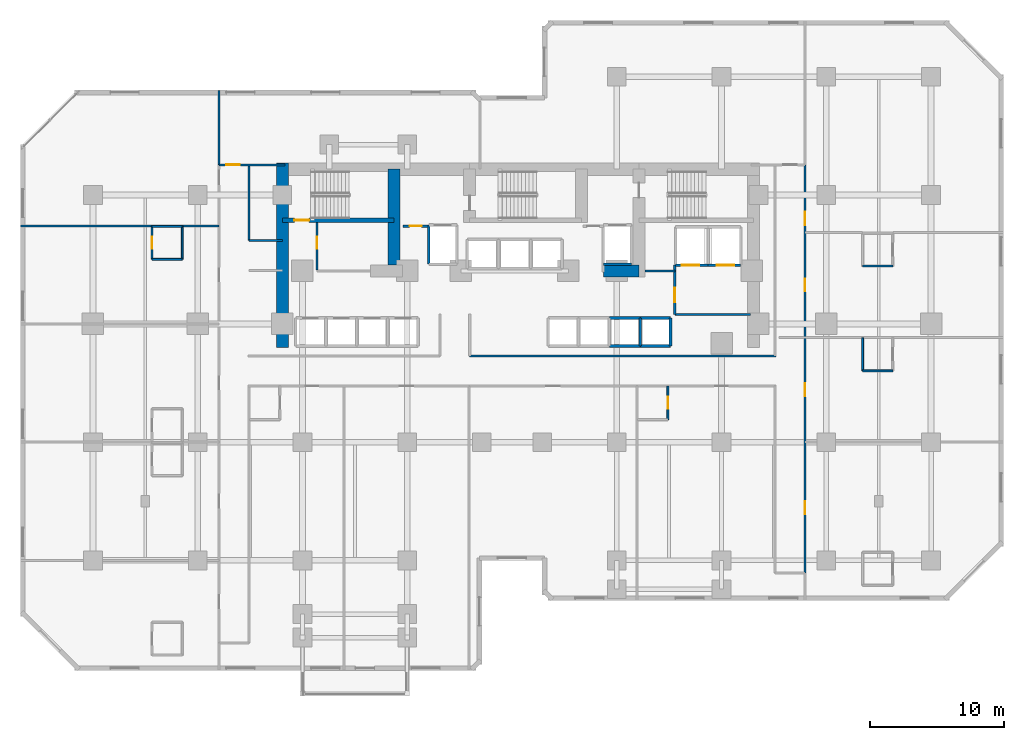
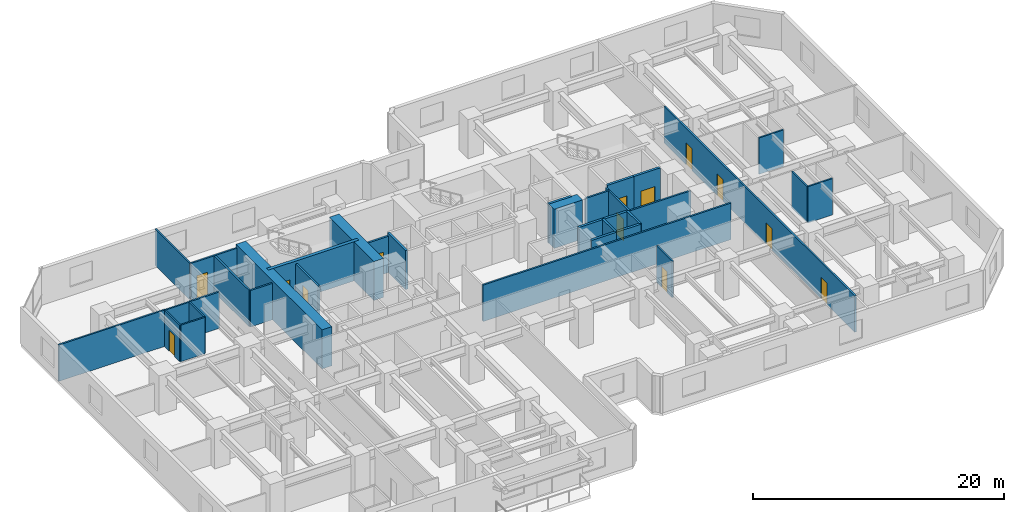
# One storey, part 7 of 11: 35 walls, 13 doors, 13 openings.
"""IFC4 building model written with IfcOpenShell, lengths in metres."""

from ifc_helpers import new_model, si_unit, direction, frame, frame_2d, origin, place, context, subcontext, project, spatial, rectangle, extrude, material, layer, layer_set, type_object, element, fill, save


model = new_model("IFC4")

# Units and contexts
model_context = context("Model", 3, precision=1e-05, world=origin(), true_north=direction((0.0, 1.0)))
body_context = subcontext(model_context, "Body", "Model", "MODEL_VIEW")
ifc_project = project(units=[si_unit("LENGTHUNIT", "METRE"), si_unit("AREAUNIT", "SQUARE_METRE"), si_unit("VOLUMEUNIT", "CUBIC_METRE"), si_unit("PLANEANGLEUNIT", "RADIAN"), si_unit("MASSUNIT", "GRAM", prefix="KILO")], contexts=[model_context])

# Site, building, storey
site_placement = place(None, origin())
site = spatial("IfcSite", under=ifc_project, at=site_placement, CompositionType="ELEMENT")
building_placement = place(site_placement, origin())
building = spatial("IfcBuilding", under=site, at=building_placement, Name="Kestravale Grand Hotel", CompositionType="ELEMENT")
storey_placement = place(building_placement, frame((0.0, 0.0, 45.0)))
storey = spatial("IfcBuildingStorey", under=building, at=storey_placement, Name="L10", CompositionType="ELEMENT", Elevation=45.0)

# Walls
ifc_material_1 = material(Name="Concrete f'c 70 MPa", Category="concrete")
ifc_layer_1 = layer(ifc_material_1, 0.89990234375)
ifc_layer_set_1 = layer_set([ifc_layer_1], Name="EW-CORE-900")
wall_type_1 = type_object("IfcWallType", Name="EW-CORE-900", PredefinedType="SHEAR", material=ifc_layer_set_1)
wall_1_placement = place(storey_placement, frame((21.89990234375, 27.050048828125, 0.0), z_axis=(0.0, 0.0, 1.0), x_axis=(0.0, 1.0, 0.0)))
element("IfcWall", 1, at=wall_1_placement, inside=storey, type_object=wall_type_1, Name="L10 core shear wall W1", PredefinedType="SHEAR", context=body_context, shape_type="SweptSolid", body=[
    extrude(rectangle(XDim=13.719970703125, YDim=0.89990234375, at=frame_2d((6.85986328125, 0.0))), origin(), (0.0, 0.0, 1.0), 3.800048828125),
])
wall_2_placement = place(storey_placement, frame((45.81005859375, 32.75, 0.0), z_axis=(0.0, 0.0, 1.0), x_axis=(1.0, 0.0, 0.0)))
element("IfcWall", 2, at=wall_2_placement, inside=storey, type_object=wall_type_1, Name="L10 core shear wall S2", PredefinedType="SHEAR", context=body_context, shape_type="SweptSolid", body=[
    extrude(rectangle(XDim=2.639892578125, YDim=0.89990234375, at=frame_2d((1.31982421875, 0.0))), origin(), (0.0, 0.0, 1.0), 3.800048828125),
])
wall_3_placement = place(storey_placement, frame((30.219970703125, 33.199951171875, 0.0), z_axis=(0.0, 0.0, 1.0), x_axis=(0.0, 1.0, 0.0)))
element("IfcWall", 3, at=wall_3_placement, inside=storey, type_object=wall_type_1, Name="L10 core shear wall X1", PredefinedType="SHEAR", context=body_context, shape_type="SweptSolid", body=[
    extrude(rectangle(XDim=7.1201171875, YDim=0.89990234375, at=frame_2d((3.56005859375, 0.0))), origin(), (0.0, 0.0, 1.0), 3.800048828125),
])

# Wall, opening, door
ifc_material_2 = material(Name="Concrete f'c 45 MPa", Category="concrete")
ifc_layer_2 = layer(ifc_material_2, 0.300048828125)
ifc_layer_set_2 = layer_set([ifc_layer_2], Name="EW-STAIR-300")
wall_type_2 = type_object("IfcWallType", Name="EW-STAIR-300", PredefinedType="SHEAR", material=ifc_layer_set_2)
wall_4_placement = place(storey_placement, frame((21.89990234375, 36.52001953125, 0.0), z_axis=(0.0, 0.0, 1.0), x_axis=(1.0, 0.0, 0.0)))
wall_4 = element("IfcWall", 4, at=wall_4_placement, inside=storey, type_object=wall_type_2, Name="L10 stair enclosure shear wall SST1", PredefinedType="SHEAR", context=body_context, shape_type="SweptSolid", body=[
    extrude(rectangle(XDim=8.320068359375, YDim=0.300048828125, at=frame_2d((4.16015625, 0.0))), origin(), (0.0, 0.0, 1.0), 3.800048828125),
])
opening_1_placement = place(wall_4_placement, frame((0.89990234375, 0.0, 0.0)))
opening_1 = element("IfcOpeningElement", 5, at=opening_1_placement, cuts=wall_4, Name="Opening D-ST-1100", PredefinedType="OPENING", context=body_context, shape_type="SweptSolid", body=[
    extrude(rectangle(XDim=1.10009765625, YDim=2.14990234375, at=frame_2d((0.550048828125, 1.074951171875))), frame((0.0, 0.159912109375, 0.0), z_axis=(0.0, -1.0, 0.0), x_axis=(1.0, 0.0, 0.0)), (0.0, 0.0, 1.0), 0.320068359375),
])
ifc_material_3 = material(Name="Galvanised 90-minute fire-rated steel stair door", Category="steel")
door_type_1 = type_object("IfcDoorType", Name="D-ST-1100", OperationType="NOTDEFINED", PredefinedType="DOOR", material=ifc_material_3)
door_1_placement = place(opening_1_placement, origin())
door_1 = element("IfcDoor", 6, at=door_1_placement, inside=storey, type_object=door_type_1, Name="L10 Stair ST-1 fire door", OperationType="SINGLE_SWING_RIGHT", OverallHeight=2.14990234375, OverallWidth=1.10009765625, PredefinedType="DOOR", context=body_context, shape_type="SweptSolid", body=[
    extrude(rectangle(XDim=1.10009765625, YDim=2.14990234375, at=frame_2d((0.550048828125, 1.074951171875))), frame((0.0, 0.02490234375, 0.0), z_axis=(0.0, -1.0, 0.0), x_axis=(1.0, 0.0, 0.0)), (0.0, 0.0, 1.0), 0.050048828125),
])
fill(opening_1, door_1)

ifc_material_4 = material(Name="Acoustic fire-rated gypsum board partition", Category="other")
ifc_layer_3 = layer(ifc_material_4, 0.159912109375)
ifc_layer_set_3 = layer_set([ifc_layer_3], Name="IW-CORR-160")
wall_type_3 = type_object("IfcWallType", Name="IW-CORR-160", PredefinedType="PARTITIONING", material=ifc_layer_set_3)
wall_5_placement = place(storey_placement, frame((24.47998046875, 32.800048828125, 0.0), z_axis=(0.0, 0.0, 1.0), x_axis=(0.0, 1.0, 0.0)))
wall_5 = element("IfcWall", 7, at=wall_5_placement, inside=storey, type_object=wall_type_3, Name="L10 west core vestibule wall", PredefinedType="PARTITIONING", context=body_context, shape_type="SweptSolid", body=[
    extrude(rectangle(XDim=3.570068359375, YDim=0.159912109375, at=frame_2d((1.78515625, 0.0))), origin(), (0.0, 0.0, 1.0), 3.5400390625),
])
opening_2_placement = place(wall_5_placement, frame((1.603515625, 0.0, 0.0)))
opening_2 = element("IfcOpeningElement", 8, at=opening_2_placement, cuts=wall_5, Name="Opening D-SH-900", PredefinedType="OPENING", context=body_context, shape_type="SweptSolid", body=[
    extrude(rectangle(XDim=0.89990234375, YDim=2.10009765625, at=frame_2d((0.449951171875, 1.050048828125))), frame((0.0, 0.08984375, 0.0), z_axis=(0.0, -1.0, 0.0), x_axis=(1.0, 0.0, 0.0)), (0.0, 0.0, 1.0), 0.179931640625),
])
ifc_material_5 = material(Name="Galvanised 90-minute shaft and service fire door", Category="steel")
door_type_2 = type_object("IfcDoorType", Name="D-SH-900", OperationType="NOTDEFINED", PredefinedType="DOOR", material=ifc_material_5)
door_2_placement = place(opening_2_placement, origin())
door_2 = element("IfcDoor", 9, at=door_2_placement, inside=storey, type_object=door_type_2, Name="D-L10-HK", OperationType="SINGLE_SWING_RIGHT", OverallHeight=2.10009765625, OverallWidth=0.89990234375, PredefinedType="DOOR", context=body_context, shape_type="SweptSolid", body=[
    extrude(rectangle(XDim=0.89990234375, YDim=2.10009765625, at=frame_2d((0.449951171875, 1.050048828125))), frame((0.0, 0.02490234375, 0.0), z_axis=(0.0, -1.0, 0.0), x_axis=(1.0, 0.0, 0.0)), (0.0, 0.0, 1.0), 0.050048828125),
])
fill(opening_2, door_2)

wall_6_placement = place(storey_placement, frame((51.1201171875, 29.5, 0.0), z_axis=(0.0, 0.0, 1.0), x_axis=(0.0, 1.0, 0.0)))
wall_6 = element("IfcWall", 10, at=wall_6_placement, inside=storey, type_object=wall_type_3, Name="W-L10-SVCLOB-W", PredefinedType="PARTITIONING", context=body_context, shape_type="SweptSolid", body=[
    extrude(rectangle(XDim=3.699951171875, YDim=0.159912109375, at=frame_2d((1.85009765625, 0.0))), origin(), (0.0, 0.0, 1.0), 3.5400390625),
])
opening_3_placement = place(wall_6_placement, frame((0.89990234375, 0.0, 0.0)))
opening_3 = element("IfcOpeningElement", 11, at=opening_3_placement, cuts=wall_6, Name="Opening D-CORR-1100", PredefinedType="OPENING", context=body_context, shape_type="SweptSolid", body=[
    extrude(rectangle(XDim=1.10009765625, YDim=2.14990234375, at=frame_2d((0.550048828125, 1.074951171875))), frame((0.0, 0.08984375, 0.0), z_axis=(0.0, -1.0, 0.0), x_axis=(1.0, 0.0, 0.0)), (0.0, 0.0, 1.0), 0.179931640625),
])
ifc_material_6 = material(Name="Single-leaf service vestibule fire door", Category="steel")
door_type_3 = type_object("IfcDoorType", Name="D-CORR-1100", OperationType="NOTDEFINED", PredefinedType="DOOR", material=ifc_material_6)
door_3_placement = place(opening_3_placement, origin())
door_3 = element("IfcDoor", 12, at=door_3_placement, inside=storey, type_object=door_type_3, Name="L10 service lift lobby door", OperationType="SINGLE_SWING_LEFT", OverallHeight=2.14990234375, OverallWidth=1.10009765625, PredefinedType="DOOR", context=body_context, shape_type="SweptSolid", body=[
    extrude(rectangle(XDim=1.10009765625, YDim=2.14990234375, at=frame_2d((0.550048828125, 1.074951171875))), frame((0.0, 0.02490234375, 0.0), z_axis=(0.0, -1.0, 0.0), x_axis=(1.0, 0.0, 0.0)), (0.0, 0.0, 1.0), 0.050048828125),
])
fill(opening_3, door_3)

# Walls
wall_7_placement = place(storey_placement, frame((51.1201171875, 29.5, 0.0), z_axis=(0.0, 0.0, 1.0), x_axis=(1.0, 0.0, 0.0)))
element("IfcWall", 13, at=wall_7_placement, inside=storey, type_object=wall_type_3, Name="L10 service lift lobby wall", PredefinedType="PARTITIONING", context=body_context, shape_type="SweptSolid", body=[
    extrude(rectangle(XDim=5.6298828125, YDim=0.159912109375, at=frame_2d((2.81494140625, 0.0))), origin(), (0.0, 0.0, 1.0), 3.5400390625),
])
wall_8_placement = place(storey_placement, frame((48.919921875, 32.75, 0.0), z_axis=(0.0, 0.0, 1.0), x_axis=(1.0, 0.0, 0.0)))
element("IfcWall", 14, at=wall_8_placement, inside=storey, type_object=wall_type_3, Name="W-L10-CES", PredefinedType="PARTITIONING", context=body_context, shape_type="SweptSolid", body=[
    extrude(rectangle(XDim=2.2001953125, YDim=0.159912109375, at=frame_2d((1.10009765625, 0.0))), origin(), (0.0, 0.0, 1.0), 3.5400390625),
])
wall_9_placement = place(storey_placement, frame((35.85009765625, 26.409912109375, 0.0), z_axis=(0.0, 0.0, 1.0), x_axis=(1.0, 0.0, 0.0)))
element("IfcWall", 15, at=wall_9_placement, inside=storey, type_object=wall_type_3, Name="W-L10-CE-N", PredefinedType="PARTITIONING", context=body_context, shape_type="SweptSolid", body=[
    extrude(rectangle(XDim=22.7998046875, YDim=0.159912109375, at=frame_2d((11.39990234375, 0.0))), origin(), (0.0, 0.0, 1.0), 3.5400390625),
])
wall_10_placement = place(storey_placement, frame((19.409912109375, 35.02001953125, 0.0), z_axis=(0.0, 0.0, 1.0), x_axis=(0.0, 1.0, 0.0)))
element("IfcWall", 16, at=wall_10_placement, inside=storey, type_object=wall_type_3, Name="W-L10-SW-EN", PredefinedType="PARTITIONING", context=body_context, shape_type="SweptSolid", body=[
    extrude(rectangle(XDim=5.6298828125, YDim=0.159912109375, at=frame_2d((2.81494140625, 0.0))), origin(), (0.0, 0.0, 1.0), 3.5400390625),
])
wall_11_placement = place(storey_placement, frame((19.409912109375, 35.02001953125, 0.0), z_axis=(0.0, 0.0, 1.0), x_axis=(1.0, 0.0, 0.0)))
element("IfcWall", 17, at=wall_11_placement, inside=storey, type_object=wall_type_3, Name="W-L10-SW-CN", PredefinedType="PARTITIONING", context=body_context, shape_type="SweptSolid", body=[
    extrude(rectangle(XDim=2.489990234375, YDim=0.159912109375, at=frame_2d((1.2451171875, 0.0))), origin(), (0.0, 0.0, 1.0), 3.5400390625),
])

# Wall, openings, doors
wall_12_placement = place(storey_placement, frame((60.81005859375, 10.25, 0.0), z_axis=(0.0, 0.0, 1.0), x_axis=(0.0, 1.0, 0.0)))
wall_12 = element("IfcWall", 18, at=wall_12_placement, inside=storey, type_object=wall_type_3, Name="W-L10-SE-E", PredefinedType="PARTITIONING", context=body_context, shape_type="SweptSolid", body=[
    extrude(rectangle(XDim=30.39990234375, YDim=0.159912109375, at=frame_2d((15.199951171875, 0.0))), origin(), (0.0, 0.0, 1.0), 3.5400390625),
])
opening_4_placement = place(wall_12_placement, frame((4.39990234375, 0.0, 0.0)))
opening_4 = element("IfcOpeningElement", 19, at=opening_4_placement, cuts=wall_12, Name="Opening D-GUEST-950", PredefinedType="OPENING", context=body_context, shape_type="SweptSolid", body=[
    extrude(rectangle(XDim=0.949951171875, YDim=2.10009765625, at=frame_2d((0.47509765625, 1.050048828125))), frame((0.0, 0.08984375, 0.0), z_axis=(0.0, -1.0, 0.0), x_axis=(1.0, 0.0, 0.0)), (0.0, 0.0, 1.0), 0.179931640625),
])
opening_5_placement = place(wall_12_placement, frame((13.175048828125, 0.0, 0.0)))
opening_5 = element("IfcOpeningElement", 20, at=opening_5_placement, cuts=wall_12, Name="Opening D-GUEST-950", PredefinedType="OPENING", context=body_context, shape_type="SweptSolid", body=[
    extrude(rectangle(XDim=0.949951171875, YDim=2.10009765625, at=frame_2d((0.47509765625, 1.050048828125))), frame((0.0, 0.08984375, 0.0), z_axis=(0.0, -1.0, 0.0), x_axis=(1.0, 0.0, 0.0)), (0.0, 0.0, 1.0), 0.179931640625),
])
opening_6_placement = place(wall_12_placement, frame((20.97509765625, 0.0, 0.0)))
opening_6 = element("IfcOpeningElement", 21, at=opening_6_placement, cuts=wall_12, Name="Opening D-GUEST-950", PredefinedType="OPENING", context=body_context, shape_type="SweptSolid", body=[
    extrude(rectangle(XDim=0.949951171875, YDim=2.10009765625, at=frame_2d((0.47509765625, 1.050048828125))), frame((0.0, 0.08984375, 0.0), z_axis=(0.0, -1.0, 0.0), x_axis=(1.0, 0.0, 0.0)), (0.0, 0.0, 1.0), 0.179931640625),
])
opening_7_placement = place(wall_12_placement, frame((25.89990234375, 0.0, 0.0)))
opening_7 = element("IfcOpeningElement", 22, at=opening_7_placement, cuts=wall_12, Name="Opening D-GUEST-1000", PredefinedType="OPENING", context=body_context, shape_type="SweptSolid", body=[
    extrude(rectangle(XDim=1.0, YDim=2.14990234375, at=frame_2d((0.5, 1.074951171875))), frame((0.0, 0.08984375, 0.0), z_axis=(0.0, -1.0, 0.0), x_axis=(1.0, 0.0, 0.0)), (0.0, 0.0, 1.0), 0.179931640625),
])
ifc_material_7 = material(Name="Accessible walnut veneer hotel entrance fire door", Category="wood")
door_type_4 = type_object("IfcDoorType", Name="D-GUEST-1000", OperationType="NOTDEFINED", PredefinedType="DOOR", material=ifc_material_7)
door_4_placement = place(opening_7_placement, origin())
door_4 = element("IfcDoor", 23, at=door_4_placement, inside=storey, type_object=door_type_4, Name="D-L10-AMEW", OperationType="SINGLE_SWING_LEFT", OverallHeight=2.14990234375, OverallWidth=1.0, PredefinedType="DOOR", context=body_context, shape_type="SweptSolid", body=[
    extrude(rectangle(XDim=1.0, YDim=2.14990234375, at=frame_2d((0.5, 1.074951171875))), frame((0.0, 0.02490234375, 0.0), z_axis=(0.0, -1.0, 0.0), x_axis=(1.0, 0.0, 0.0)), (0.0, 0.0, 1.0), 0.050048828125),
])
fill(opening_7, door_4)
ifc_material_8 = material(Name="Walnut veneer hotel guestroom entrance fire door", Category="wood")
door_type_5 = type_object("IfcDoorType", Name="D-GUEST-950", OperationType="NOTDEFINED", PredefinedType="DOOR", material=ifc_material_8)
door_5_placement = place(opening_4_placement, origin())
door_5 = element("IfcDoor", 24, at=door_5_placement, inside=storey, type_object=door_type_5, Name="D-L10-U07-ENT", OperationType="SINGLE_SWING_RIGHT", OverallHeight=2.10009765625, OverallWidth=0.949951171875, PredefinedType="DOOR", context=body_context, shape_type="SweptSolid", body=[
    extrude(rectangle(XDim=0.949951171875, YDim=2.10009765625, at=frame_2d((0.47509765625, 1.050048828125))), frame((0.0, 0.02490234375, 0.0), z_axis=(0.0, -1.0, 0.0), x_axis=(1.0, 0.0, 0.0)), (0.0, 0.0, 1.0), 0.050048828125),
])
fill(opening_4, door_5)
door_6_placement = place(opening_5_placement, origin())
door_6 = element("IfcDoor", 25, at=door_6_placement, inside=storey, type_object=door_type_5, Name="D-L10-U08-ENT", OperationType="SINGLE_SWING_RIGHT", OverallHeight=2.10009765625, OverallWidth=0.949951171875, PredefinedType="DOOR", context=body_context, shape_type="SweptSolid", body=[
    extrude(rectangle(XDim=0.949951171875, YDim=2.10009765625, at=frame_2d((0.47509765625, 1.050048828125))), frame((0.0, 0.02490234375, 0.0), z_axis=(0.0, -1.0, 0.0), x_axis=(1.0, 0.0, 0.0)), (0.0, 0.0, 1.0), 0.050048828125),
])
fill(opening_5, door_6)
door_7_placement = place(opening_6_placement, origin())
door_7 = element("IfcDoor", 26, at=door_7_placement, inside=storey, type_object=door_type_5, Name="D-L10-U09-ENT", OperationType="SINGLE_SWING_RIGHT", OverallHeight=2.10009765625, OverallWidth=0.949951171875, PredefinedType="DOOR", context=body_context, shape_type="SweptSolid", body=[
    extrude(rectangle(XDim=0.949951171875, YDim=2.10009765625, at=frame_2d((0.47509765625, 1.050048828125))), frame((0.0, 0.02490234375, 0.0), z_axis=(0.0, -1.0, 0.0), x_axis=(1.0, 0.0, 0.0)), (0.0, 0.0, 1.0), 0.050048828125),
])
fill(opening_6, door_7)

# Wall, opening, door
ifc_material_9 = material(Name="Fire-rated gypsum board on steel studs with mineral wool", Category="steel")
ifc_layer_4 = layer(ifc_material_9, 0.179931640625)
ifc_layer_set_4 = layer_set([ifc_layer_4], Name="IW-FSAE-180")
wall_type_4 = type_object("IfcWallType", Name="IW-FSAE-180", PredefinedType="PARTITIONING", material=ifc_layer_set_4)
wall_13_placement = place(storey_placement, frame((30.89990234375, 36.080078125, 0.0), z_axis=(0.0, 0.0, 1.0), x_axis=(1.0, 0.0, 0.0)))
wall_13 = element("IfcWall", 27, at=wall_13_placement, inside=storey, type_object=wall_type_4, Name="L10 FSAE Lobby 1 smoke barrier", PredefinedType="PARTITIONING", context=body_context, shape_type="SweptSolid", body=[
    extrude(rectangle(XDim=1.85009765625, YDim=0.179931640625, at=frame_2d((0.925048828125, 0.0))), origin(), (0.0, 0.0, 1.0), 3.5400390625),
])
opening_8_placement = place(wall_13_placement, frame((0.47998046875, 0.0, 0.0)))
opening_8 = element("IfcOpeningElement", 28, at=opening_8_placement, cuts=wall_13, Name="Opening D-FSAE-1000", PredefinedType="OPENING", context=body_context, shape_type="SweptSolid", body=[
    extrude(rectangle(XDim=0.89990234375, YDim=2.14990234375, at=frame_2d((0.449951171875, 1.074951171875))), frame((0.0, 0.099853515625, 0.0), z_axis=(0.0, -1.0, 0.0), x_axis=(1.0, 0.0, 0.0)), (0.0, 0.0, 1.0), 0.199951171875),
])
ifc_material_10 = material(Name="Smoke-gasketed FSAE lobby fire door", Category="steel")
door_type_6 = type_object("IfcDoorType", Name="D-FSAE-1000", OperationType="NOTDEFINED", PredefinedType="DOOR", material=ifc_material_10)
door_8_placement = place(opening_8_placement, origin())
door_8 = element("IfcDoor", 29, at=door_8_placement, inside=storey, type_object=door_type_6, Name="L10 FSAE Lobby 1 fire door", OperationType="SINGLE_SWING_RIGHT", OverallHeight=2.14990234375, OverallWidth=0.89990234375, PredefinedType="DOOR", context=body_context, shape_type="SweptSolid", body=[
    extrude(rectangle(XDim=0.89990234375, YDim=2.14990234375, at=frame_2d((0.449951171875, 1.074951171875))), frame((0.0, 0.02490234375, 0.0), z_axis=(0.0, -1.0, 0.0), x_axis=(1.0, 0.0, 0.0)), (0.0, 0.0, 1.0), 0.050048828125),
])
fill(opening_8, door_8)

ifc_material_11 = material(Name="Moisture-resistant tile-backer plumbing chase wall", Category="other")
ifc_layer_5 = layer(ifc_material_11, 0.139892578125)
ifc_layer_set_5 = layer_set([ifc_layer_5], Name="IW-PLB-140")
wall_type_5 = type_object("IfcWallType", Name="IW-PLB-140", PredefinedType="PLUMBINGWALL", material=ifc_layer_set_5)
wall_14_placement = place(storey_placement, frame((50.60498046875, 21.679931640625, 0.0), z_axis=(0.0, 0.0, 1.0), x_axis=(0.0, 1.0, 0.0)))
wall_14 = element("IfcWall", 30, at=wall_14_placement, inside=storey, type_object=wall_type_5, Name="W-L10-U02-BE", PredefinedType="PLUMBINGWALL", context=body_context, shape_type="SweptSolid", body=[
    extrude(rectangle(XDim=2.489990234375, YDim=0.139892578125, at=frame_2d((1.2451171875, 0.0))), origin(), (0.0, 0.0, 1.0), 3.5400390625),
])
opening_9_placement = place(wall_14_placement, frame((0.804931640625, 0.0, 0.0)))
opening_9 = element("IfcOpeningElement", 31, at=opening_9_placement, cuts=wall_14, Name="Opening D-BATH-880", PredefinedType="OPENING", context=body_context, shape_type="SweptSolid", body=[
    extrude(rectangle(XDim=0.8798828125, YDim=2.050048828125, at=frame_2d((0.43994140625, 1.02490234375))), frame((0.0, 0.079833984375, 0.0), z_axis=(0.0, -1.0, 0.0), x_axis=(1.0, 0.0, 0.0)), (0.0, 0.0, 1.0), 0.159912109375),
])
ifc_material_12 = material(Name="Moisture-sealed walnut en-suite bathroom door", Category="wood")
door_type_7 = type_object("IfcDoorType", Name="D-BATH-880", OperationType="NOTDEFINED", PredefinedType="DOOR", material=ifc_material_12)
door_9_placement = place(opening_9_placement, origin())
door_9 = element("IfcDoor", 32, at=door_9_placement, inside=storey, type_object=door_type_7, Name="D-L10-U02-BATH", OperationType="SINGLE_SWING_RIGHT", OverallHeight=2.050048828125, OverallWidth=0.8798828125, PredefinedType="DOOR", context=body_context, shape_type="SweptSolid", body=[
    extrude(rectangle(XDim=0.8798828125, YDim=2.050048828125, at=frame_2d((0.43994140625, 1.02490234375))), frame((0.0, 0.02490234375, 0.0), z_axis=(0.0, -1.0, 0.0), x_axis=(1.0, 0.0, 0.0)), (0.0, 0.0, 1.0), 0.050048828125),
])
fill(opening_9, door_9)

wall_15_placement = place(storey_placement, frame((12.199951171875, 33.610107421875, 0.0), z_axis=(0.0, 0.0, 1.0), x_axis=(0.0, 1.0, 0.0)))
wall_15 = element("IfcWall", 33, at=wall_15_placement, inside=storey, type_object=wall_type_5, Name="W-L10-U06-BW", PredefinedType="PLUMBINGWALL", context=body_context, shape_type="SweptSolid", body=[
    extrude(rectangle(XDim=2.449951171875, YDim=0.139892578125, at=frame_2d((1.22509765625, 0.0))), origin(), (0.0, 0.0, 1.0), 3.5400390625),
])
opening_10_placement = place(wall_15_placement, frame((0.784912109375, 0.0, 0.0)))
opening_10 = element("IfcOpeningElement", 34, at=opening_10_placement, cuts=wall_15, Name="Opening D-BATH-880", PredefinedType="OPENING", context=body_context, shape_type="SweptSolid", body=[
    extrude(rectangle(XDim=0.8798828125, YDim=2.050048828125, at=frame_2d((0.43994140625, 1.02490234375))), frame((0.0, 0.079833984375, 0.0), z_axis=(0.0, -1.0, 0.0), x_axis=(1.0, 0.0, 0.0)), (0.0, 0.0, 1.0), 0.159912109375),
])
door_10_placement = place(opening_10_placement, origin())
door_10 = element("IfcDoor", 35, at=door_10_placement, inside=storey, type_object=door_type_7, Name="D-L10-U06-BATH", OperationType="SINGLE_SWING_RIGHT", OverallHeight=2.050048828125, OverallWidth=0.8798828125, PredefinedType="DOOR", context=body_context, shape_type="SweptSolid", body=[
    extrude(rectangle(XDim=0.8798828125, YDim=2.050048828125, at=frame_2d((0.43994140625, 1.02490234375))), frame((0.0, 0.02490234375, 0.0), z_axis=(0.0, -1.0, 0.0), x_axis=(1.0, 0.0, 0.0)), (0.0, 0.0, 1.0), 0.050048828125),
])
fill(opening_10, door_10)

# Walls
wall_16_placement = place(storey_placement, frame((14.449951171875, 33.610107421875, 0.0), z_axis=(0.0, 0.0, 1.0), x_axis=(0.0, 1.0, 0.0)))
element("IfcWall", 36, at=wall_16_placement, inside=storey, type_object=wall_type_5, Name="W-L10-U06-BE", PredefinedType="PLUMBINGWALL", context=body_context, shape_type="SweptSolid", body=[
    extrude(rectangle(XDim=2.449951171875, YDim=0.139892578125, at=frame_2d((1.22509765625, 0.0))), origin(), (0.0, 0.0, 1.0), 3.5400390625),
])
for number, where, z_axis, x_axis, name in (
    (37, (12.199951171875, 33.610107421875, 0.0), (0.0, 0.0, 1.0), (1.0, 0.0, 0.0), "W-L10-U06-BS"),
    (38, (12.199951171875, 36.06005859375, 0.0), (0.0, 0.0, 1.0), (1.0, 0.0, 0.0), "W-L10-U06-BN"),
):
    element("IfcWall", number, at=place(storey_placement, frame(where, z_axis=z_axis, x_axis=x_axis)), inside=storey, type_object=wall_type_5, Name=name, PredefinedType="PLUMBINGWALL", context=body_context, shape_type="SweptSolid", body=[
        extrude(rectangle(XDim=2.25, YDim=0.139892578125, at=frame_2d((1.125, 0.0))), origin(), (0.0, 0.0, 1.0), 3.5400390625),
    ])
wall_17_placement = place(storey_placement, frame((65.10009765625, 25.31005859375, 0.0), z_axis=(0.0, 0.0, 1.0), x_axis=(0.0, 1.0, 0.0)))
element("IfcWall", 39, at=wall_17_placement, inside=storey, type_object=wall_type_5, Name="W-L10-U08-BW", PredefinedType="PLUMBINGWALL", context=body_context, shape_type="SweptSolid", body=[
    extrude(rectangle(XDim=2.449951171875, YDim=0.139892578125, at=frame_2d((1.22509765625, 0.0))), origin(), (0.0, 0.0, 1.0), 3.5400390625),
])
for number, where, z_axis, x_axis, name in (
    (40, (65.10009765625, 25.31005859375, 0.0), (0.0, 0.0, 1.0), (1.0, 0.0, 0.0), "W-L10-U08-BS"),
    (41, (65.10009765625, 33.110107421875, 0.0), (0.0, 0.0, 1.0), (1.0, 0.0, 0.0), "W-L10-U09-BS"),
):
    element("IfcWall", number, at=place(storey_placement, frame(where, z_axis=z_axis, x_axis=x_axis)), inside=storey, type_object=wall_type_5, Name=name, PredefinedType="PLUMBINGWALL", context=body_context, shape_type="SweptSolid", body=[
        extrude(rectangle(XDim=2.25, YDim=0.139892578125, at=frame_2d((1.125, 0.0))), origin(), (0.0, 0.0, 1.0), 3.5400390625),
    ])
ifc_material_13 = material(Name="Concrete f'c 45 MPa", Category="concrete")
ifc_layer_6 = layer(ifc_material_13, 0.199951171875)
ifc_layer_set_6 = layer_set([ifc_layer_6], Name="IW-SHAFT-200")
wall_type_6 = type_object("IfcWallType", Name="IW-SHAFT-200", PredefinedType="SHEAR", material=ifc_layer_set_6)
for number, where, z_axis, x_axis, name in (
    (42, (48.550048828125, 27.169921875, 0.0), (0.0, 0.0, 1.0), (0.0, 1.0, 0.0), "L10 PL-M4 west shaft wall"),
    (43, (50.794921875, 27.169921875, 0.0), (0.0, 0.0, 1.0), (0.0, 1.0, 0.0), "L10 PL-M4 east shaft wall"),
):
    element("IfcWall", number, at=place(storey_placement, frame(where, z_axis=z_axis, x_axis=x_axis)), inside=storey, type_object=wall_type_6, Name=name, PredefinedType="SHEAR", context=body_context, shape_type="SweptSolid", body=[
        extrude(rectangle(XDim=2.06005859375, YDim=0.199951171875, at=frame_2d((1.030029296875, 0.0))), origin(), (0.0, 0.0, 1.0), 3.800048828125),
    ])
wall_18_placement = place(storey_placement, frame((32.804931640625, 33.2451171875, 0.0), z_axis=(0.0, 0.0, 1.0), x_axis=(0.0, 1.0, 0.0)))
element("IfcWall", 44, at=wall_18_placement, inside=storey, type_object=wall_type_6, Name="L10 FL-1 west shaft wall", PredefinedType="SHEAR", context=body_context, shape_type="SweptSolid", body=[
    extrude(rectangle(XDim=2.909912109375, YDim=0.199951171875, at=frame_2d((1.455078125, 0.0))), origin(), (0.0, 0.0, 1.0), 3.800048828125),
])
ifc_material_14 = material(Name="Concrete f'c 45 MPa", Category="concrete")
ifc_layer_7 = layer(ifc_material_14, 0.219970703125)
ifc_layer_set_7 = layer_set([ifc_layer_7], Name="IW-SHAFT-220")
wall_type_7 = type_object("IfcWallType", Name="IW-SHAFT-220", PredefinedType="SHEAR", material=ifc_layer_set_7)
for number, where, z_axis, x_axis, name in (
    (45, (46.25, 29.22998046875, 0.0), (0.0, 0.0, 1.0), (1.0, 0.0, 0.0), "L10 PL-M3 north shaft wall"),
    (46, (46.25, 27.169921875, 0.0), (0.0, 0.0, 1.0), (1.0, 0.0, 0.0), "L10 PL-M3 south shaft wall"),
):
    element("IfcWall", number, at=place(storey_placement, frame(where, z_axis=z_axis, x_axis=x_axis)), inside=storey, type_object=wall_type_7, Name=name, PredefinedType="SHEAR", context=body_context, shape_type="SweptSolid", body=[
        extrude(rectangle(XDim=2.300048828125, YDim=0.219970703125, at=frame_2d((1.14990234375, 0.0))), origin(), (0.0, 0.0, 1.0), 3.800048828125),
    ])
for number, where, z_axis, x_axis, name in (
    (47, (48.550048828125, 29.22998046875, 0.0), (0.0, 0.0, 1.0), (1.0, 0.0, 0.0), "L10 PL-M4 north shaft wall"),
    (48, (48.550048828125, 27.169921875, 0.0), (0.0, 0.0, 1.0), (1.0, 0.0, 0.0), "L10 PL-M4 south shaft wall"),
):
    element("IfcWall", number, at=place(storey_placement, frame(where, z_axis=z_axis, x_axis=x_axis)), inside=storey, type_object=wall_type_7, Name=name, PredefinedType="SHEAR", context=body_context, shape_type="SweptSolid", body=[
        extrude(rectangle(XDim=2.244873046875, YDim=0.219970703125, at=frame_2d((1.12255859375, 0.0))), origin(), (0.0, 0.0, 1.0), 3.800048828125),
    ])

# Wall, opening, door
wall_19_placement = place(storey_placement, frame((51.179931640625, 33.169921875, 0.0), z_axis=(0.0, 0.0, 1.0), x_axis=(1.0, 0.0, 0.0)))
wall_19 = element("IfcWall", 49, at=wall_19_placement, inside=storey, type_object=wall_type_7, Name="L10 SL-1 south shaft wall", PredefinedType="SHEAR", context=body_context, shape_type="SweptSolid", body=[
    extrude(rectangle(XDim=2.420166015625, YDim=0.219970703125, at=frame_2d((1.2099609375, 0.0))), origin(), (0.0, 0.0, 1.0), 3.800048828125),
])
opening_11_placement = place(wall_19_placement, frame((0.469970703125, 0.0, 0.0)))
opening_11 = element("IfcOpeningElement", 50, at=opening_11_placement, cuts=wall_19, Name="Opening LD-SVC-1300", PredefinedType="OPENING", context=body_context, shape_type="SweptSolid", body=[
    extrude(rectangle(XDim=1.300048828125, YDim=2.14990234375, at=frame_2d((0.64990234375, 1.074951171875))), frame((0.0, 0.119873046875, 0.0), z_axis=(0.0, -1.0, 0.0), x_axis=(1.0, 0.0, 0.0)), (0.0, 0.0, 1.0), 0.239990234375),
])
ifc_material_15 = material(Name="Heavy-duty service sliding elevator landing door", Category="steel")
door_type_8 = type_object("IfcDoorType", Name="LD-SVC-1300", OperationType="NOTDEFINED", PredefinedType="DOOR", material=ifc_material_15)
door_11_placement = place(opening_11_placement, origin())
door_11 = element("IfcDoor", 51, at=door_11_placement, inside=storey, type_object=door_type_8, Name="L10 SL-1 elevator landing sliding door", OperationType="DOUBLE_DOOR_SLIDING", OverallHeight=2.14990234375, OverallWidth=1.300048828125, PredefinedType="DOOR", context=body_context, shape_type="SweptSolid", body=[
    extrude(rectangle(XDim=1.300048828125, YDim=2.14990234375, at=frame_2d((0.64990234375, 1.074951171875))), frame((0.0, 0.02490234375, 0.0), z_axis=(0.0, -1.0, 0.0), x_axis=(1.0, 0.0, 0.0)), (0.0, 0.0, 1.0), 0.050048828125),
])
fill(opening_11, door_11)

wall_20_placement = place(storey_placement, frame((53.60009765625, 33.169921875, 0.0), z_axis=(0.0, 0.0, 1.0), x_axis=(1.0, 0.0, 0.0)))
wall_20 = element("IfcWall", 52, at=wall_20_placement, inside=storey, type_object=wall_type_7, Name="L10 SL-2 south shaft wall", PredefinedType="SHEAR", context=body_context, shape_type="SweptSolid", body=[
    extrude(rectangle(XDim=2.419921875, YDim=0.219970703125, at=frame_2d((1.2099609375, 0.0))), origin(), (0.0, 0.0, 1.0), 3.800048828125),
])
opening_12_placement = place(wall_20_placement, frame((0.64990234375, 0.0, 0.0)))
opening_12 = element("IfcOpeningElement", 53, at=opening_12_placement, cuts=wall_20, Name="Opening LD-SVC-1300", PredefinedType="OPENING", context=body_context, shape_type="SweptSolid", body=[
    extrude(rectangle(XDim=1.300048828125, YDim=2.14990234375, at=frame_2d((0.64990234375, 1.074951171875))), frame((0.0, 0.119873046875, 0.0), z_axis=(0.0, -1.0, 0.0), x_axis=(1.0, 0.0, 0.0)), (0.0, 0.0, 1.0), 0.239990234375),
])
door_12_placement = place(opening_12_placement, origin())
door_12 = element("IfcDoor", 54, at=door_12_placement, inside=storey, type_object=door_type_8, Name="L10 SL-2 elevator landing sliding door", OperationType="DOUBLE_DOOR_SLIDING", OverallHeight=2.14990234375, OverallWidth=1.300048828125, PredefinedType="DOOR", context=body_context, shape_type="SweptSolid", body=[
    extrude(rectangle(XDim=1.300048828125, YDim=2.14990234375, at=frame_2d((0.64990234375, 1.074951171875))), frame((0.0, 0.02490234375, 0.0), z_axis=(0.0, -1.0, 0.0), x_axis=(1.0, 0.0, 0.0)), (0.0, 0.0, 1.0), 0.050048828125),
])
fill(opening_12, door_12)

# Wall
wall_21_placement = place(storey_placement, frame((45.804931640625, 33.2451171875, 0.0), z_axis=(0.0, 0.0, 1.0), x_axis=(1.0, 0.0, 0.0)))
element("IfcWall", 55, at=wall_21_placement, inside=storey, type_object=wall_type_7, Name="L10 FL-2 south shaft wall", PredefinedType="SHEAR", context=body_context, shape_type="SweptSolid", body=[
    extrude(rectangle(XDim=2.090087890625, YDim=0.219970703125, at=frame_2d((1.044921875, 0.0))), origin(), (0.0, 0.0, 1.0), 3.800048828125),
])

# Wall, opening, door
ifc_material_16 = material(Name="Double-stud STC 52 acoustic demising partition", Category="other")
ifc_layer_8 = layer(ifc_material_16, 0.14990234375)
ifc_layer_set_8 = layer_set([ifc_layer_8], Name="IW-UNIT-150")
wall_type_8 = type_object("IfcWallType", Name="IW-UNIT-150", PredefinedType="PARTITIONING", material=ifc_layer_set_8)
wall_22_placement = place(storey_placement, frame((17.18994140625, 40.64990234375, 0.0), z_axis=(0.0, 0.0, 1.0), x_axis=(1.0, 0.0, 0.0)))
wall_22 = element("IfcWall", 56, at=wall_22_placement, inside=storey, type_object=wall_type_8, Name="W-L10-SW-N", PredefinedType="PARTITIONING", context=body_context, shape_type="SweptSolid", body=[
    extrude(rectangle(XDim=4.91015625, YDim=0.14990234375, at=frame_2d((2.455078125, 0.0))), origin(), (0.0, 0.0, 1.0), 3.5400390625),
])
opening_13_placement = place(wall_22_placement, frame((0.550048828125, 0.0, 0.0)))
opening_13 = element("IfcOpeningElement", 57, at=opening_13_placement, cuts=wall_22, Name="Opening D-GUEST-1000", PredefinedType="OPENING", context=body_context, shape_type="SweptSolid", body=[
    extrude(rectangle(XDim=1.0, YDim=2.14990234375, at=frame_2d((0.5, 1.074951171875))), frame((0.0, 0.0849609375, 0.0), z_axis=(0.0, -1.0, 0.0), x_axis=(1.0, 0.0, 0.0)), (0.0, 0.0, 1.0), 0.169921875),
])
door_13_placement = place(opening_13_placement, origin())
door_13 = element("IfcDoor", 58, at=door_13_placement, inside=storey, type_object=door_type_4, Name="L10 NW Gallery Door", OperationType="SINGLE_SWING_RIGHT", OverallHeight=2.14990234375, OverallWidth=1.0, PredefinedType="DOOR", context=body_context, shape_type="SweptSolid", body=[
    extrude(rectangle(XDim=1.0, YDim=2.14990234375, at=frame_2d((0.5, 1.074951171875))), frame((0.0, 0.02490234375, 0.0), z_axis=(0.0, -1.0, 0.0), x_axis=(1.0, 0.0, 0.0)), (0.0, 0.0, 1.0), 0.050048828125),
])
fill(opening_13, door_13)

# Walls
wall_23_placement = place(storey_placement, frame((17.18994140625, 40.64990234375, 0.0), z_axis=(0.0, 0.0, 1.0), x_axis=(0.0, 1.0, 0.0)))
element("IfcWall", 59, at=wall_23_placement, inside=storey, type_object=wall_type_8, Name="W-L10-NGW-W", PredefinedType="PARTITIONING", context=body_context, shape_type="SweptSolid", body=[
    extrude(rectangle(XDim=5.530029296875, YDim=0.14990234375, at=frame_2d((2.76513671875, 0.0))), origin(), (0.0, 0.0, 1.0), 3.5400390625),
])
wall_24_placement = place(storey_placement, frame((2.419921875, 36.10009765625, 0.0), z_axis=(0.0, 0.0, 1.0), x_axis=(1.0, 0.0, 0.0)))
element("IfcWall", 60, at=wall_24_placement, inside=storey, type_object=wall_type_8, Name="W-L10-WW-4", PredefinedType="PARTITIONING", context=body_context, shape_type="SweptSolid", body=[
    extrude(rectangle(XDim=9.780029296875, YDim=0.14990234375, at=frame_2d((4.89013671875, 0.0))), origin(), (0.0, 0.0, 1.0), 3.5400390625),
])
wall_25_placement = place(storey_placement, frame((14.449951171875, 36.10009765625, 0.0), z_axis=(0.0, 0.0, 1.0), x_axis=(1.0, 0.0, 0.0)))
element("IfcWall", 61, at=wall_25_placement, inside=storey, type_object=wall_type_8, Name="W-L10-WW-4", PredefinedType="PARTITIONING", context=body_context, shape_type="SweptSolid", body=[
    extrude(rectangle(XDim=2.739990234375, YDim=0.14990234375, at=frame_2d((1.3701171875, 0.0))), origin(), (0.0, 0.0, 1.0), 3.5400390625),
])

save(model, "model.ifc")
